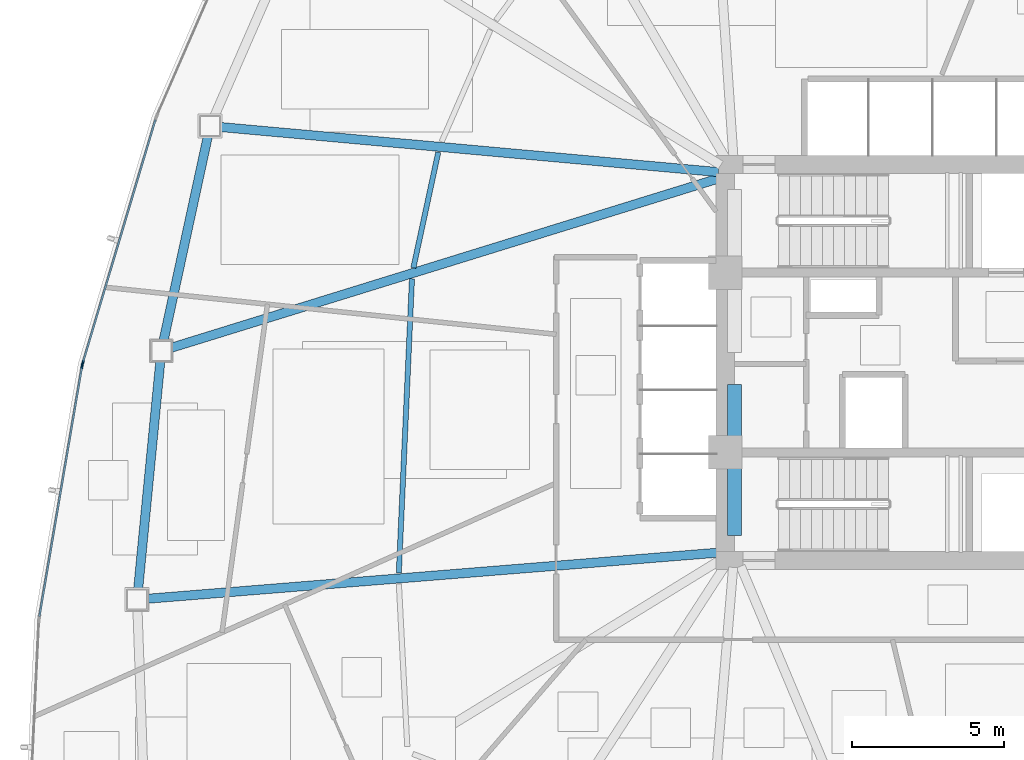
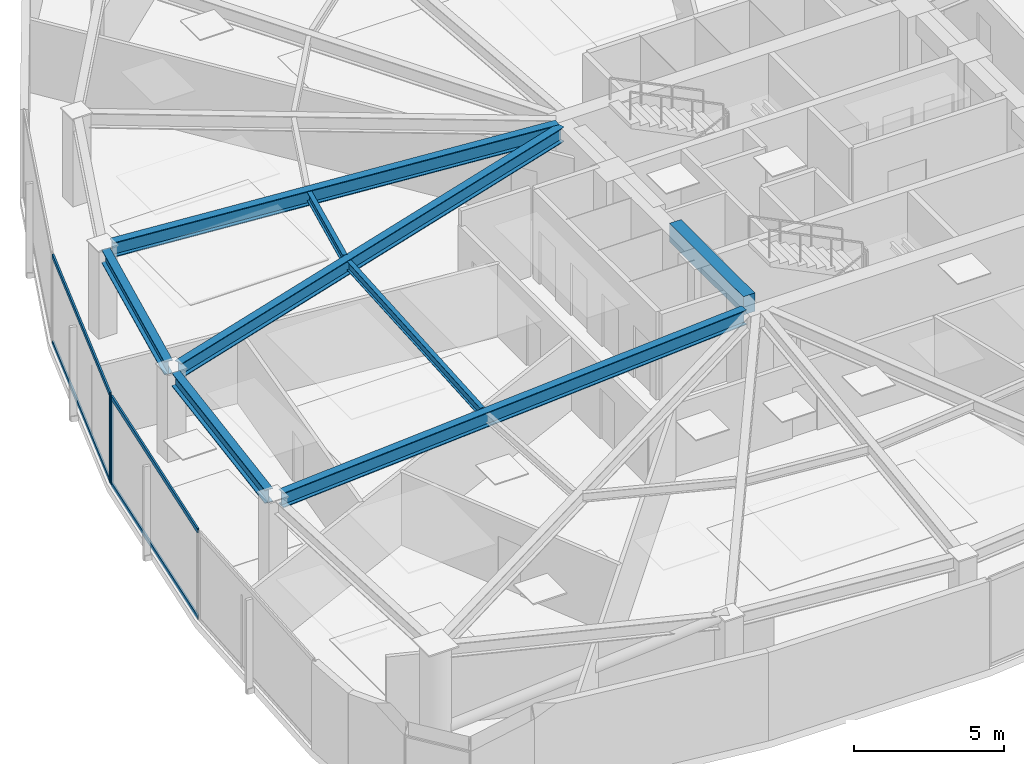
# One storey, part 4 of 17: 8 beams, 6 members, 2 elements without a shape of their own.
"""IFC4 building model written with IfcOpenShell, lengths in metres."""

import ifcopenshell
import ifcopenshell.guid

model = None  # the IFC model being written
_history = None  # IfcOwnerHistory: only IFC2X3 demands one
_inside = {}  # id of a spatial element -> (the spatial element, [elements in it])
_under = {}  # id of a project, library or spatial element -> (it, [spatial elements below it])
_declared = {}  # id of a project -> (the project, [libraries it declares])
_typed = {}  # id of a type object -> (the type object, [elements of that type])
_made_of = {}  # id of a material, layer set ... -> (it, [elements and type objects made of it])


def new_model(schema):
    """Start an empty IFC model of exactly this schema.

    Asked for "IFC4X3", IfcOpenShell would pick the latest addendum, in which some entities
    have other attributes; the version numbers below select the first issue.
    IFC2X3 requires an IfcOwnerHistory on every rooted entity: one is made here for all.
    """
    global model, _history
    if schema == "IFC4X3":
        model = ifcopenshell.file(schema_version=(4, 3, 0, 0))
    else:
        model = ifcopenshell.file(schema=schema)
    _inside.clear()
    _under.clear()
    _declared.clear()
    _typed.clear()
    _made_of.clear()
    _history = None
    if model.schema == "IFC2X3":
        org = make("IfcOrganization", Name="unknown")
        user = make(
            "IfcPersonAndOrganization",
            ThePerson=make("IfcPerson", FamilyName="unknown"),
            TheOrganization=org,
        )
        app = make(
            "IfcApplication",
            ApplicationDeveloper=org,
            Version="unknown",
            ApplicationFullName="unknown",
            ApplicationIdentifier="unknown",
        )
        _history = make(
            "IfcOwnerHistory",
            OwningUser=user,
            OwningApplication=app,
            ChangeAction="ADDED",
            CreationDate=0,
        )
    return model


def make(cls, **values):
    """One entity of the class cls with the attributes given. An attribute that is None is left unset."""
    return model.create_entity(
        cls, **{name: value for name, value in values.items() if value is not None}
    )


def rooted(cls, **values):
    """An entity with a GlobalId (a new one), such as an element, a storey or a relation."""
    return make(cls, GlobalId=ifcopenshell.guid.new(), OwnerHistory=_history, **values)


def si_unit(unit_type, name, prefix=None):
    """IfcSIUnit, for example si_unit("LENGTHUNIT", "METRE", prefix="MILLI")."""
    return make("IfcSIUnit", UnitType=unit_type, Prefix=prefix, Name=name)


def assignment(units):
    """IfcUnitAssignment: the units of a project."""
    return None if units is None else make("IfcUnitAssignment", Units=units)


def point(xyz):
    """IfcCartesianPoint."""
    return None if xyz is None else make("IfcCartesianPoint", Coordinates=xyz)


def direction(xyz):
    """IfcDirection."""
    return None if xyz is None else make("IfcDirection", DirectionRatios=xyz)


def frame(location, z_axis=None, x_axis=None):
    """IfcAxis2Placement3D, a coordinate frame: its origin and axes. An axis left out is left unset."""
    return make(
        "IfcAxis2Placement3D",
        Location=point(location),
        Axis=direction(z_axis),
        RefDirection=direction(x_axis),
    )


def frame_2d(location, x_axis=None):
    """IfcAxis2Placement2D, a coordinate frame in the plane: its origin and x axis."""
    return make(
        "IfcAxis2Placement2D", Location=point(location), RefDirection=direction(x_axis)
    )


def origin():
    """The frame at (0, 0, 0) with its axes left unset."""
    return frame((0.0, 0.0, 0.0))


def origin_2d():
    """The frame at (0, 0) in the plane with its x axis left unset."""
    return frame_2d((0.0, 0.0))


def place(relative_to, where):
    """IfcLocalPlacement: puts the frame where relative to a parent placement (None: the world)."""
    return make(
        "IfcLocalPlacement", PlacementRelTo=relative_to, RelativePlacement=where
    )


def context(
    kind, dimensions, precision=None, world=None, true_north=None, identifier=None
):
    """IfcGeometricRepresentationContext, for example the 3D "Model" context."""
    return make(
        "IfcGeometricRepresentationContext",
        ContextIdentifier=identifier,
        ContextType=kind,
        CoordinateSpaceDimension=dimensions,
        Precision=precision,
        WorldCoordinateSystem=world,
        TrueNorth=true_north,
    )


def subcontext(parent, identifier, kind, view, scale=None):
    """IfcGeometricRepresentationSubContext, for example "Body" below "Model"."""
    return make(
        "IfcGeometricRepresentationSubContext",
        ContextIdentifier=identifier,
        ContextType=kind,
        ParentContext=parent,
        TargetScale=scale,
        TargetView=view,
    )


def project(units=None, contexts=None):
    """IfcProject with its units and contexts."""
    return rooted(
        "IfcProject",
        Name="project",
        RepresentationContexts=contexts,
        UnitsInContext=assignment(units),
    )


def spatial(cls, under=None, at=None, **own):
    """A site, building, storey or space (cls), placed at a placement, below another one or the project."""
    s = rooted(cls, ObjectPlacement=at, **own)
    if under is not None:
        _under.setdefault(under.id(), (under, []))[1].append(s)
    return s


def profile(cls, at=None, kind="AREA", **sizes):
    """A parametric profile (cls). Its sizes go by their IFC names, for example OverallWidth=200.0."""
    return make(cls, ProfileType=kind, Position=at, **sizes)


def rectangle(**sizes):
    """IfcRectangleProfileDef."""
    return profile("IfcRectangleProfileDef", **sizes)


def hollow_rectangle(**sizes):
    """IfcRectangleHollowProfileDef."""
    return profile("IfcRectangleHollowProfileDef", **sizes)


def i_section(**sizes):
    """IfcIShapeProfileDef."""
    return profile("IfcIShapeProfileDef", **sizes)


def extrude(swept, where, along, depth):
    """IfcExtrudedAreaSolid: the profile swept, set in the frame where, extruded along a direction by depth."""
    return make(
        "IfcExtrudedAreaSolid",
        SweptArea=swept,
        Position=where,
        ExtrudedDirection=direction(along),
        Depth=depth,
    )


def shape(context_of_items, identifier, shape_type, items):
    """IfcShapeRepresentation: the items that make up one representation, for example the "Body"."""
    return make(
        "IfcShapeRepresentation",
        ContextOfItems=context_of_items,
        RepresentationIdentifier=identifier,
        RepresentationType=shape_type,
        Items=items,
    )


def source(mapping_origin, context_of_items, identifier, shape_type, items):
    """IfcRepresentationMap: a shape defined once, which mapped items show again and again."""
    return make(
        "IfcRepresentationMap",
        MappingOrigin=mapping_origin,
        MappedRepresentation=shape(context_of_items, identifier, shape_type, items),
    )


def transform(
    local_origin,
    x_axis=None,
    y_axis=None,
    z_axis=None,
    scale=None,
    scale2=None,
    scale3=None,
    uniform=True,
):
    """IfcCartesianTransformationOperator3D, or its non-uniform kind. x_axis, y_axis, z_axis: its Axis1, 2, 3."""
    if uniform:
        return make(
            "IfcCartesianTransformationOperator3D",
            Axis1=direction(x_axis),
            Axis2=direction(y_axis),
            LocalOrigin=point(local_origin),
            Scale=scale,
            Axis3=direction(z_axis),
        )
    return make(
        "IfcCartesianTransformationOperator3DnonUniform",
        Axis1=direction(x_axis),
        Axis2=direction(y_axis),
        LocalOrigin=point(local_origin),
        Scale=scale,
        Axis3=direction(z_axis),
        Scale2=scale2,
        Scale3=scale3,
    )


def mapped(mapping_source, mapping_target):
    """IfcMappedItem: shows the shape of a source again, moved by a transform."""
    return make(
        "IfcMappedItem", MappingSource=mapping_source, MappingTarget=mapping_target
    )


def material(Name=None, Category=None):
    """IfcMaterial."""
    return make("IfcMaterial", Name=Name, Category=Category)


def layer(
    of_material, thickness, ventilated=None, Name=None, Category=None, Priority=None
):
    """IfcMaterialLayer: one layer of a wall or slab, of a material (None: an air gap)."""
    return make(
        "IfcMaterialLayer",
        Material=of_material,
        LayerThickness=thickness,
        IsVentilated=ventilated,
        Name=Name,
        Category=Category,
        Priority=Priority,
    )


def layer_set(layers, Name=None):
    """IfcMaterialLayerSet."""
    return make("IfcMaterialLayerSet", MaterialLayers=layers, LayerSetName=Name)


def material_profile(
    of_material, cross_section, Name=None, Category=None, Priority=None
):
    """IfcMaterialProfile: a cross section and its material."""
    return make(
        "IfcMaterialProfile",
        Name=Name,
        Material=of_material,
        Profile=cross_section,
        Priority=Priority,
        Category=Category,
    )


def profile_set(profiles, Name=None, composite=None):
    """IfcMaterialProfileSet."""
    return make(
        "IfcMaterialProfileSet",
        Name=Name,
        MaterialProfiles=profiles,
        CompositeProfile=composite,
    )


def made_of(thing, what):
    """Note that an element or type object is made of a material, layer set ...; save() writes the relation."""
    if what is not None:
        _made_of.setdefault(what.id(), (what, []))[1].append(thing)
    return thing


def type_object(cls, material=None, **own):
    """A type object (cls), such as IfcWallType, which elements share."""
    return made_of(rooted(cls, **own), material)


def type_shapes(of_type, sources):
    """Give a type object the sources (RepresentationMaps) that its elements show as mapped items."""
    of_type.RepresentationMaps = sources


def element(
    cls,
    number,
    at=None,
    inside=None,
    cuts=None,
    type_object=None,
    material=None,
    context=None,
    identifier="Body",
    shape_type=None,
    held_by="IfcProductDefinitionShape",
    body=None,
    shapes=None,
    **own,
):
    """One element of the class cls, such as IfcWall. Its Tag is "e" and its number.

    at: its placement. inside: the storey or other place that contains it. cuts: it is an
    opening in that element (IfcRelVoidsElement). A single representation is given by context,
    identifier, shape_type and body (its items); several are given by shapes. held_by: the class
    of the entity that holds the representations. save() writes the other relations.
    """
    e = rooted(cls, Tag="e%d" % number, ObjectPlacement=at, **own)
    if body is not None:
        shapes = [shape(context, identifier, shape_type, body)]
    if shapes is not None:
        e.Representation = make(held_by, Representations=shapes)
    if inside is not None:
        _inside.setdefault(inside.id(), (inside, []))[1].append(e)
    if cuts is not None:
        rooted(
            "IfcRelVoidsElement", RelatingBuildingElement=cuts, RelatedOpeningElement=e
        )
    if type_object is not None:
        _typed.setdefault(type_object.id(), (type_object, []))[1].append(e)
    return made_of(e, material)


def aggregate(whole, parts):
    """IfcRelAggregates: a whole, such as a stair, and the parts it consists of."""
    return rooted("IfcRelAggregates", RelatingObject=whole, RelatedObjects=parts)


def save(model, path):
    """Write the relations noted so far, then the file.

    IfcRelAggregates (storeys below a building ...), IfcRelContainedInSpatialStructure (elements
    in a storey), IfcRelDefinesByType, IfcRelAssociatesMaterial and IfcRelDeclares: one each for
    every whole, place, type object, material and project.
    """
    for whole, parts in _under.values():
        aggregate(whole, parts)
    for where, things in _inside.values():
        rooted(
            "IfcRelContainedInSpatialStructure",
            RelatedElements=things,
            RelatingStructure=where,
        )
    for kind, things in _typed.values():
        rooted("IfcRelDefinesByType", RelatedObjects=things, RelatingType=kind)
    for what, things in _made_of.values():
        rooted("IfcRelAssociatesMaterial", RelatedObjects=things, RelatingMaterial=what)
    for by, libraries in _declared.values():
        rooted("IfcRelDeclares", RelatingContext=by, RelatedDefinitions=libraries)
    model.write(path)


model = new_model("IFC4")

# Units and contexts
model_context = context("Model", 3, precision=1e-05, world=origin(), true_north=direction((0.0, 1.0)))
body_context = subcontext(model_context, "Body", "Model", "MODEL_VIEW")
ifc_project = project(units=[si_unit("LENGTHUNIT", "METRE"), si_unit("AREAUNIT", "SQUARE_METRE"), si_unit("VOLUMEUNIT", "CUBIC_METRE"), si_unit("PLANEANGLEUNIT", "RADIAN"), si_unit("MASSUNIT", "GRAM", prefix="KILO")], contexts=[model_context])

# Site, building, storey
site_placement = place(None, origin())
site = spatial("IfcSite", under=ifc_project, at=site_placement, CompositionType="ELEMENT")
building_placement = place(site_placement, origin())
building = spatial("IfcBuilding", under=site, at=building_placement, Name="Tavelor Broadcast Tower", CompositionType="ELEMENT")
storey_placement = place(building_placement, frame((0.0, 0.0, 66.60009765625)))
storey = spatial("IfcBuildingStorey", under=building, at=storey_placement, Name="L15", CompositionType="ELEMENT", Elevation=66.60009765625)

# Beams
ifc_material_1 = material(Name="Concrete C40/50", Category="concrete")
ifc_material_profile_1 = material_profile(ifc_material_1, rectangle(XDim=0.449951171875, YDim=0.75, at=origin_2d()), Name="RC 450x750")
ifc_profile_set_1 = profile_set([ifc_material_profile_1], Name="Concrete C40/50")
beam_type_1 = type_object("IfcBeamType", Name="Basement Core Trim Beam 450x750", PredefinedType="BEAM", material=ifc_profile_set_1)
beam_1_placement = place(storey_placement, frame((43.39990234375, 39.327880859375, 3.224853515625), z_axis=(0.0, 1.0, 0.0), x_axis=(-1.0, 0.0, 0.0)))
element("IfcBeam", 1, at=beam_1_placement, inside=storey, type_object=beam_type_1, Name="L15 Core West-S Tie Girder", PredefinedType="BEAM", context=body_context, shape_type="SweptSolid", body=[
    extrude(rectangle(XDim=0.449951171875, YDim=0.75, at=origin_2d()), origin(), (0.0, 0.0, 1.0), 4.944091796875),
])
ifc_material_2 = material(Name="Steel S355", Category="steel")
ifc_material_profile_2 = material_profile(ifc_material_2, i_section(OverallWidth=0.169921875, OverallDepth=0.360107421875, WebThickness=0.008056640625, FlangeThickness=0.0126953125, at=origin_2d()), Name="IPE 360")
ifc_profile_set_2 = profile_set([ifc_material_profile_2], Name="Steel S355")
beam_type_2 = type_object("IfcBeamType", Name="Composite Floor Joist T2 IPE 360", PredefinedType="JOIST", material=ifc_profile_set_2)
beam_2_placement = place(storey_placement, frame((33.679931640625, 51.899658203125, 3.419921875), z_axis=(-0.210632825907, -0.97756524726, 0.0), x_axis=(0.97756524726, -0.210632825907, 0.0)))
element("IfcBeam", 2, at=beam_2_placement, inside=storey, type_object=beam_type_2, Name="L15 Secondary Composite Floor Joist 04", PredefinedType="JOIST", context=body_context, shape_type="SweptSolid", body=[
    extrude(i_section(OverallWidth=0.169921875, OverallDepth=0.360107421875, WebThickness=0.008056640625, FlangeThickness=0.0126953125, at=origin_2d()), origin(), (0.0, 0.0, 1.0), 3.8818359375),
])
beam_3_placement = place(storey_placement, frame((32.816162109375, 47.747314453125, 3.419921875), z_axis=(-0.044602263152, -0.999004823873, 0.0), x_axis=(0.999004823873, -0.044602263152, 0.0)))
element("IfcBeam", 3, at=beam_3_placement, inside=storey, type_object=beam_type_2, Name="L15 Secondary Composite Floor Joist 05", PredefinedType="JOIST", context=body_context, shape_type="SweptSolid", body=[
    extrude(i_section(OverallWidth=0.169921875, OverallDepth=0.360107421875, WebThickness=0.008056640625, FlangeThickness=0.0126953125, at=origin_2d()), origin(), (0.0, 0.0, 1.0), 9.66650390625),
])
ifc_material_profile_3 = material_profile(ifc_material_2, i_section(OverallWidth=0.300048828125, OverallDepth=0.550048828125, WebThickness=0.014892578125, FlangeThickness=0.029052734375, at=origin_2d()), Name="HEB 550")
ifc_profile_set_3 = profile_set([ifc_material_profile_3], Name="Steel S355")
beam_type_3 = type_object("IfcBeamType", Name="Perimeter Spandrel Beam T2 HEB 550", PredefinedType="SPANDREL", material=ifc_profile_set_3)
beam_4_placement = place(storey_placement, frame((26.1181640625, 52.4296875, 3.324951171875), z_axis=(-0.211875421449, -0.977296682582, 0.0), x_axis=(0.977296682582, -0.211875421449, 0.0)))
element("IfcBeam", 4, at=beam_4_placement, inside=storey, type_object=beam_type_3, Name="L15 Framed-Tube Ring Spandrel 04", PredefinedType="SPANDREL", context=body_context, shape_type="SweptSolid", body=[
    extrude(i_section(OverallWidth=0.300048828125, OverallDepth=0.550048828125, WebThickness=0.014892578125, FlangeThickness=0.029052734375, at=origin_2d()), origin(), (0.0, 0.0, 1.0), 6.876708984375),
])
beam_5_placement = place(storey_placement, frame((24.557373046875, 45.04638671875, 3.324951171875), z_axis=(-0.096929220198, -0.9952912771, 0.0), x_axis=(0.9952912771, -0.096929220198, 0.0)))
element("IfcBeam", 5, at=beam_5_placement, inside=storey, type_object=beam_type_3, Name="L15 Framed-Tube Ring Spandrel 05", PredefinedType="SPANDREL", context=body_context, shape_type="SweptSolid", body=[
    extrude(i_section(OverallWidth=0.300048828125, OverallDepth=0.550048828125, WebThickness=0.014892578125, FlangeThickness=0.029052734375, at=origin_2d()), origin(), (0.0, 0.0, 1.0), 7.531005859375),
])
ifc_material_profile_4 = material_profile(ifc_material_2, i_section(OverallWidth=0.300048828125, OverallDepth=0.60009765625, WebThickness=0.015380859375, FlangeThickness=0.030029296875, at=origin_2d()), Name="HEB 600")
ifc_profile_set_4 = profile_set([ifc_material_profile_4], Name="Steel S355")
beam_type_4 = type_object("IfcBeamType", Name="Radial Floor Girder T2 HEB 600", PredefinedType="BEAM", material=ifc_profile_set_4)
beam_6_placement = place(storey_placement, frame((42.874267578125, 51.24755859375, 3.2998046875), z_axis=(-0.99592702313, 0.090162989073, 0.0), x_axis=(-0.090162989073, -0.99592702313, 0.0)))
element("IfcBeam", 6, at=beam_6_placement, inside=storey, type_object=beam_type_4, Name="L15 Radial Primary Floor Girder 04", PredefinedType="BEAM", context=body_context, shape_type="SweptSolid", body=[
    extrude(i_section(OverallWidth=0.300048828125, OverallDepth=0.60009765625, WebThickness=0.015380859375, FlangeThickness=0.030029296875, at=origin_2d()), origin(), (0.0, 0.0, 1.0), 16.417236328125),
])
beam_7_placement = place(storey_placement, frame((42.8955078125, 51.0439453125, 3.2998046875), z_axis=(-0.9553264377, -0.295552698231, 0.0), x_axis=(0.295552698231, -0.9553264377, 0.0)))
element("IfcBeam", 7, at=beam_7_placement, inside=storey, type_object=beam_type_4, Name="L15 Radial Primary Floor Girder 05", PredefinedType="BEAM", context=body_context, shape_type="SweptSolid", body=[
    extrude(i_section(OverallWidth=0.300048828125, OverallDepth=0.60009765625, WebThickness=0.015380859375, FlangeThickness=0.030029296875, at=origin_2d()), origin(), (0.0, 0.0, 1.0), 18.82568359375),
])
beam_8_placement = place(storey_placement, frame((42.873779296875, 38.757568359375, 3.2998046875), z_axis=(-0.996753141144, -0.080518169498, 0.0), x_axis=(0.080518169498, -0.996753141144, 0.0)))
element("IfcBeam", 8, at=beam_8_placement, inside=storey, type_object=beam_type_4, Name="L15 Radial Primary Floor Girder 06", PredefinedType="BEAM", context=body_context, shape_type="SweptSolid", body=[
    extrude(i_section(OverallWidth=0.300048828125, OverallDepth=0.60009765625, WebThickness=0.015380859375, FlangeThickness=0.030029296875, at=origin_2d()), origin(), (0.0, 0.0, 1.0), 18.80517578125),
])

# Curtain wall, member
ifc_material_3 = material(Name="Architectural Anodized Aluminium", Category="aluminium")
ifc_layer = layer(ifc_material_3, 0.179931640625)
ifc_layer_set = layer_set([ifc_layer], Name="Architectural Anodized Aluminium")
curtain_wall_type = type_object("IfcCurtainWallType", Name="Tower Low-Zone Unitised Curtain Wall CW02", PredefinedType="NOTDEFINED", material=ifc_layer_set)
curtain_wall_1_placement = place(storey_placement, origin())
curtain_wall_1 = element("IfcCurtainWall", 9, at=curtain_wall_1_placement, inside=storey, type_object=curtain_wall_type, Name="L15 Curtain Wall CW02 Run 134", PredefinedType="NOTDEFINED")
ifc_material_profile_5 = material_profile(ifc_material_3, hollow_rectangle(XDim=0.06494140625, YDim=0.179931640625, WallThickness=0.02197265625, at=origin_2d()), Name="RHS 65x180x22")
ifc_profile_set_5 = profile_set([ifc_material_profile_5], Name="Architectural Anodized Aluminium")
member_type_1 = type_object("IfcMemberType", Name="CW02 Extruded Aluminium Mullion 65x180", PredefinedType="MULLION", material=ifc_profile_set_5)
shared_shape_1 = source(origin(), body_context, "Body", "SweptSolid", [
    extrude(hollow_rectangle(XDim=0.06494140625, YDim=0.179931640625, WallThickness=0.02197265625, at=origin_2d()), origin(), (0.0, 0.0, 1.0), 3.599853515625),
])
type_shapes(member_type_1, [shared_shape_1])
member_1_placement = place(storey_placement, frame((22.010498046875, 44.977783203125, 0.0), z_axis=(0.0, 0.0, 1.0), x_axis=(0.958200680457, -0.286096934572, 0.0)))
member_1 = element("IfcMember", 10, at=member_1_placement, type_object=member_type_1, Name="CW02 mullion 2", PredefinedType="MULLION", context=body_context, shape_type="MappedRepresentation", body=[
    mapped(shared_shape_1, transform((0.0, 0.0, 0.0), scale=1.0)),
])

curtain_wall_2_placement = place(storey_placement, origin())
curtain_wall_2 = element("IfcCurtainWall", 11, at=curtain_wall_2_placement, inside=storey, type_object=curtain_wall_type, Name="L15 Curtain Wall CW02 Run 135", PredefinedType="NOTDEFINED")
member_2_placement = place(storey_placement, frame((21.98876953125, 44.88525390625, 0.0), z_axis=(0.0, 0.0, 1.0), x_axis=(0.985778413403, -0.168050348611, 0.0)))
member_2 = element("IfcMember", 12, at=member_2_placement, type_object=member_type_1, Name="CW02 mullion 1", PredefinedType="MULLION", context=body_context, shape_type="MappedRepresentation", body=[
    mapped(shared_shape_1, transform((0.0, 0.0, 0.0), scale=1.0)),
])

# Member
ifc_material_profile_6 = material_profile(ifc_material_3, hollow_rectangle(XDim=0.06494140625, YDim=0.179931640625, WallThickness=0.02197265625, at=origin_2d()), Name="RHS 65x180x22")
ifc_profile_set_6 = profile_set([ifc_material_profile_6], Name="Architectural Anodized Aluminium")
member_type_2 = type_object("IfcMemberType", Name="CW02 Extruded Aluminium Transom 65x180", PredefinedType="USERDEFINED", material=ifc_profile_set_6)
shared_shape_2 = source(origin(), body_context, "Body", "SweptSolid", [
    extrude(hollow_rectangle(XDim=0.06494140625, YDim=0.179931640625, WallThickness=0.02197265625, at=origin_2d()), origin(), (0.0, 0.0, 1.0), 8.3056640625),
])
type_shapes(member_type_2, [shared_shape_2])
member_3_placement = place(storey_placement, frame((24.39599609375, 52.96728515625, 0.032470703125), z_axis=(-0.28609635294, -0.958200854119, 0.0), x_axis=(0.958200854119, -0.28609635294, 0.0)))
member_3 = element("IfcMember", 13, at=member_3_placement, type_object=member_type_2, Name="CW02 transom 1.1", ObjectType="TRANSOM", PredefinedType="USERDEFINED", context=body_context, shape_type="MappedRepresentation", body=[
    mapped(shared_shape_2, transform((0.0, 0.0, 0.0), scale=1.0)),
])

member_4_placement = place(storey_placement, frame((24.39599609375, 52.96728515625, 3.5673828125), z_axis=(-0.28609635294, -0.958200854119, 0.0), x_axis=(0.958200854119, -0.28609635294, 0.0)))
member_4 = element("IfcMember", 14, at=member_4_placement, type_object=member_type_2, Name="CW02 transom 1.2", ObjectType="TRANSOM", PredefinedType="USERDEFINED", context=body_context, shape_type="MappedRepresentation", body=[
    mapped(shared_shape_2, transform((0.0, 0.0, 0.0), scale=1.0)),
])

aggregate(curtain_wall_1, [member_1, member_3, member_4])

member_5_placement = place(storey_placement, frame((21.9833984375, 44.853271484375, 0.032470703125), z_axis=(-0.168049151831, -0.985778617423, 0.0), x_axis=(0.985778617423, -0.168049151831, 0.0)))
member_5 = element("IfcMember", 15, at=member_5_placement, type_object=member_type_2, Name="CW02 transom 1.1", ObjectType="TRANSOM", PredefinedType="USERDEFINED", context=body_context, shape_type="MappedRepresentation", body=[
    mapped(shared_shape_2, transform((0.0, 0.0, 0.0), scale=1.0)),
])

member_6_placement = place(storey_placement, frame((21.9833984375, 44.853271484375, 3.5673828125), z_axis=(-0.168049151831, -0.985778617423, 0.0), x_axis=(0.985778617423, -0.168049151831, 0.0)))
member_6 = element("IfcMember", 16, at=member_6_placement, type_object=member_type_2, Name="CW02 transom 1.2", ObjectType="TRANSOM", PredefinedType="USERDEFINED", context=body_context, shape_type="MappedRepresentation", body=[
    mapped(shared_shape_2, transform((0.0, 0.0, 0.0), scale=1.0)),
])

aggregate(curtain_wall_2, [member_2, member_5, member_6])

save(model, "model.ifc")
